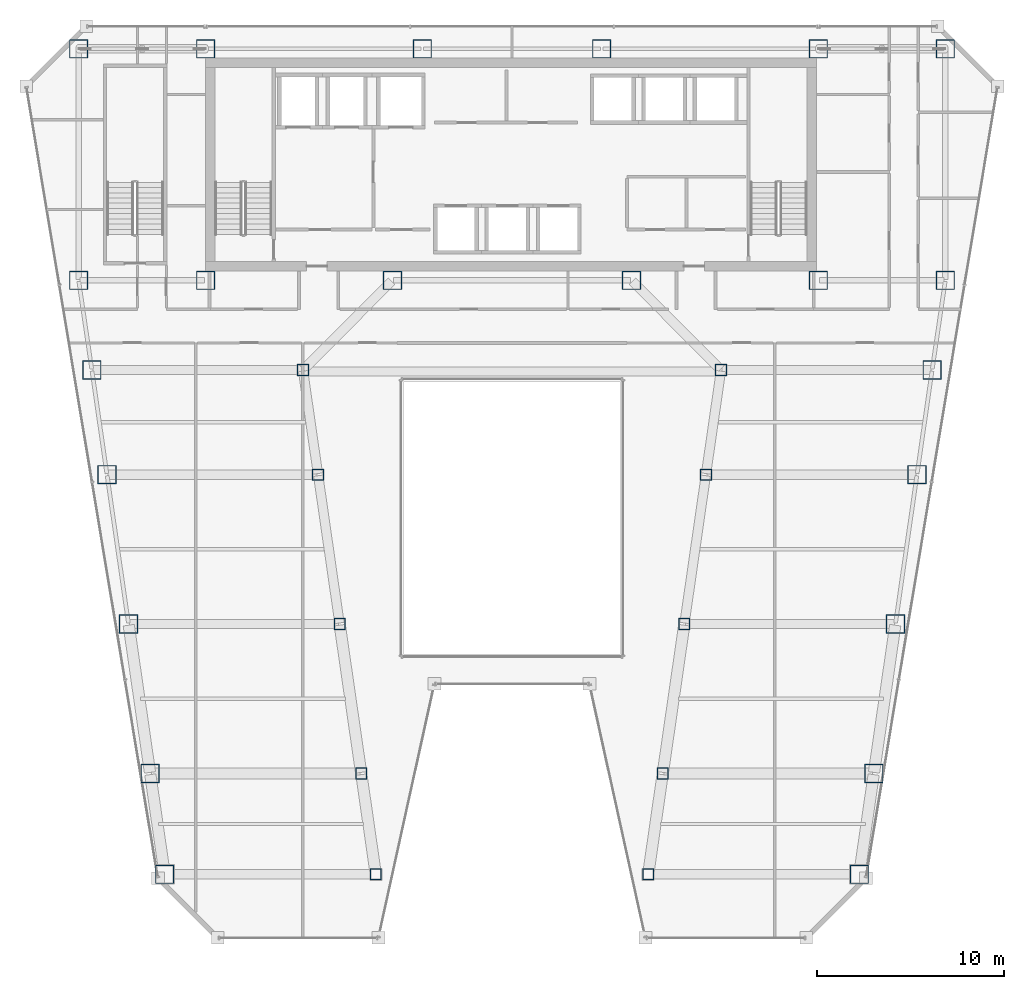
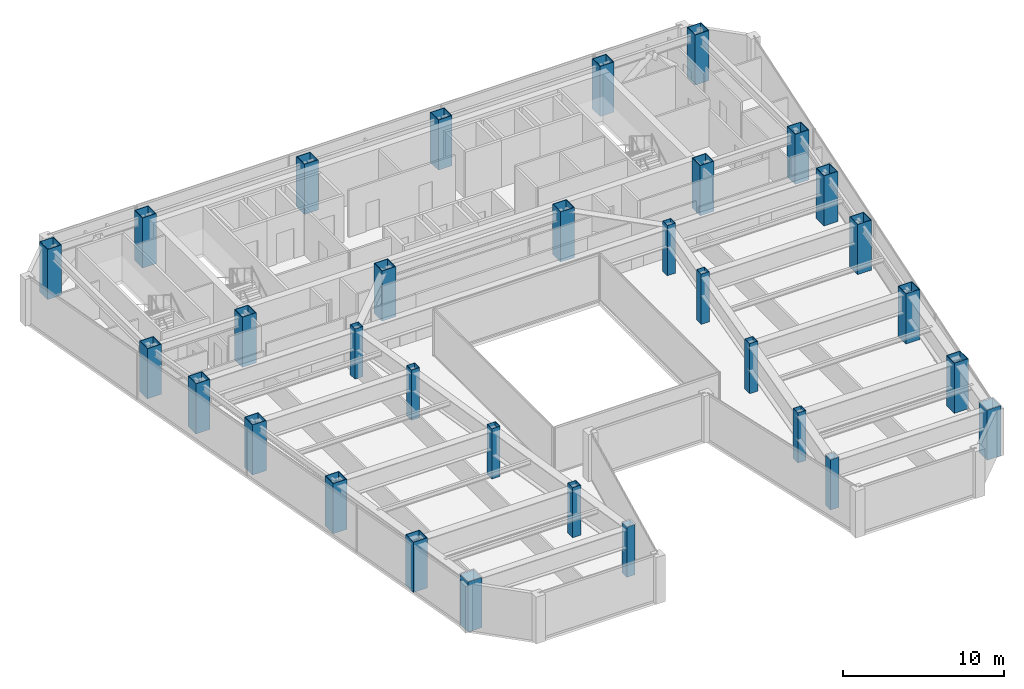
# One storey, part 1 of 37: 32 columns.
"""IFC4 building model written with IfcOpenShell, lengths in metres."""

from ifc_helpers import new_model, si_unit, direction, frame, origin, origin_2d, place, context, subcontext, project, spatial, hollow_rectangle, extrude, material, material_profile, profile_set, type_object, element, save


model = new_model("IFC4")

# Units and contexts
model_context = context("Model", 3, precision=1e-05, world=origin(), true_north=direction((0.0, 1.0)))
body_context = subcontext(model_context, "Body", "Model", "MODEL_VIEW")
ifc_project = project(units=[si_unit("LENGTHUNIT", "METRE"), si_unit("AREAUNIT", "SQUARE_METRE"), si_unit("VOLUMEUNIT", "CUBIC_METRE"), si_unit("PLANEANGLEUNIT", "RADIAN"), si_unit("MASSUNIT", "GRAM", prefix="KILO")], contexts=[model_context])

# Site, building, storey
site_placement = place(None, origin())
site = spatial("IfcSite", under=ifc_project, at=site_placement, CompositionType="ELEMENT")
building_placement = place(site_placement, origin())
building = spatial("IfcBuilding", under=site, at=building_placement, Name="Saevonmaru Cultural Tower", CompositionType="ELEMENT")
storey_placement = place(building_placement, frame((0.0, 0.0, 163.800048828125)))
storey = spatial("IfcBuildingStorey", under=building, at=storey_placement, Name="L36", CompositionType="ELEMENT", Elevation=163.800048828125)

# Columns
ifc_material_1 = material(Name="Steel SM420", Category="steel")
ifc_material_profile_1 = material_profile(ifc_material_1, hollow_rectangle(XDim=1.0, YDim=1.0, WallThickness=0.044921875, at=origin_2d()), Name="BOX-1000x1000x45")
ifc_profile_set_1 = profile_set([ifc_material_profile_1], Name="Steel SM420")
column_type_1 = type_object("IfcColumnType", Name="COL-BOX-1000", PredefinedType="COLUMN", material=ifc_profile_set_1)
for number, where, z_axis, x_axis, name in (
    (1, (6.800048828125, 54.800048828125, 0.0), (0.0, 0.0, 1.0), (1.0, 0.0, 0.0), "L36 Column TC-N1N"),
    (2, (13.60009765625, 54.800048828125, 0.0), (0.0, 0.0, 1.0), (1.0, 0.0, 0.0), "L36 Column TC-N2N"),
    (3, (25.199951171875, 54.800048828125, 0.0), (0.0, 0.0, 1.0), (1.0, 0.0, 0.0), "L36 Column TC-N3N"),
    (4, (34.800048828125, 54.800048828125, 0.0), (0.0, 0.0, 1.0), (1.0, 0.0, 0.0), "L36 Column TC-N4N"),
    (5, (46.39990234375, 54.800048828125, 0.0), (0.0, 0.0, 1.0), (1.0, 0.0, 0.0), "L36 Column TC-N5N"),
    (6, (53.199951171875, 54.800048828125, 0.0), (0.0, 0.0, 1.0), (1.0, 0.0, 0.0), "L36 Column TC-N6N"),
    (7, (6.800048828125, 42.39990234375, 0.0), (0.0, 0.0, 1.0), (1.0, 0.0, 0.0), "L36 Column TC-S1C"),
    (8, (13.60009765625, 42.39990234375, 0.0), (0.0, 0.0, 1.0), (1.0, 0.0, 0.0), "L36 Column TC-S2C"),
    (9, (23.60009765625, 42.39990234375, 0.0), (0.0, 0.0, 1.0), (1.0, 0.0, 0.0), "L36 Column TC-S3C"),
    (10, (36.39990234375, 42.39990234375, 0.0), (0.0, 0.0, 1.0), (1.0, 0.0, 0.0), "L36 Column TC-S4C"),
    (11, (46.39990234375, 42.39990234375, 0.0), (0.0, 0.0, 1.0), (1.0, 0.0, 0.0), "L36 Column TC-S5C"),
    (12, (53.199951171875, 42.39990234375, 0.0), (0.0, 0.0, 1.0), (1.0, 0.0, 0.0), "L36 Column TC-S6C"),
    (13, (11.407958984375, 10.60009765625, 0.0), (0.0, 0.0, 1.0), (1.0, 0.0, 0.0), "L36 Column TC-WO-Y106"),
    (14, (48.592041015625, 10.60009765625, 0.0), (0.0, 0.0, 1.0), (1.0, 0.0, 0.0), "L36 Column TC-EO-Y106"),
    (15, (10.6279296875, 16.0, 0.0), (0.0, 0.0, 1.0), (1.0, 0.0, 0.0), "L36 Column TC-WO-Y160"),
    (16, (49.3720703125, 16.0, 0.0), (0.0, 0.0, 1.0), (1.0, 0.0, 0.0), "L36 Column TC-EO-Y160"),
    (17, (9.471923828125, 24.0, 0.0), (0.0, 0.0, 1.0), (1.0, 0.0, 0.0), "L36 Column TC-WO-Y240"),
    (18, (50.528076171875, 24.0, 0.0), (0.0, 0.0, 1.0), (1.0, 0.0, 0.0), "L36 Column TC-EO-Y240"),
    (19, (8.31689453125, 32.0, 0.0), (0.0, 0.0, 1.0), (1.0, 0.0, 0.0), "L36 Column TC-WO-Y320"),
    (20, (51.68310546875, 32.0, 0.0), (0.0, 0.0, 1.0), (1.0, 0.0, 0.0), "L36 Column TC-EO-Y320"),
    (21, (7.508056640625, 37.60009765625, 0.0), (0.0, 0.0, 1.0), (1.0, 0.0, 0.0), "L36 Column TC-WO-Y376"),
    (22, (52.491943359375, 37.60009765625, 0.0), (0.0, 0.0, 1.0), (1.0, 0.0, 0.0), "L36 Column TC-EO-Y376"),
):
    element("IfcColumn", number, at=place(storey_placement, frame(where, z_axis=z_axis, x_axis=x_axis)), inside=storey, type_object=column_type_1, Name=name, PredefinedType="COLUMN", context=body_context, shape_type="SweptSolid", body=[
        extrude(hollow_rectangle(XDim=1.0, YDim=1.0, WallThickness=0.044921875, at=origin_2d()), origin(), (0.0, 0.0, 1.0), 3.800048828125),
    ])
ifc_material_2 = material(Name="Steel SM355", Category="steel")
ifc_material_profile_2 = material_profile(ifc_material_2, hollow_rectangle(XDim=0.60009765625, YDim=0.60009765625, WallThickness=0.028076171875, at=origin_2d()), Name="BOX-600x600x28")
ifc_profile_set_2 = profile_set([ifc_material_profile_2], Name="Steel SM355")
column_type_2 = type_object("IfcColumnType", Name="COL-BOX-600", PredefinedType="COLUMN", material=ifc_profile_set_2)
for number, where, z_axis, x_axis, name in (
    (23, (22.7080078125, 10.60009765625, 0.0), (0.0, 0.0, 1.0), (1.0, 0.0, 0.0), "L36 Column TC-WI-Y106"),
    (24, (37.2919921875, 10.60009765625, 0.0), (0.0, 0.0, 1.0), (1.0, 0.0, 0.0), "L36 Column TC-EI-Y106"),
    (25, (21.927978515625, 16.0, 0.0), (0.0, 0.0, 1.0), (1.0, 0.0, 0.0), "L36 Column TC-WI-Y160"),
    (26, (38.072021484375, 16.0, 0.0), (0.0, 0.0, 1.0), (1.0, 0.0, 0.0), "L36 Column TC-EI-Y160"),
    (27, (20.77197265625, 24.0, 0.0), (0.0, 0.0, 1.0), (1.0, 0.0, 0.0), "L36 Column TC-WI-Y240"),
    (28, (39.22802734375, 24.0, 0.0), (0.0, 0.0, 1.0), (1.0, 0.0, 0.0), "L36 Column TC-EI-Y240"),
    (29, (19.616943359375, 32.0, 0.0), (0.0, 0.0, 1.0), (1.0, 0.0, 0.0), "L36 Column TC-WI-Y320"),
    (30, (40.383056640625, 32.0, 0.0), (0.0, 0.0, 1.0), (1.0, 0.0, 0.0), "L36 Column TC-EI-Y320"),
    (31, (18.80810546875, 37.60009765625, 0.0), (0.0, 0.0, 1.0), (1.0, 0.0, 0.0), "L36 Column TC-WI-Y376"),
    (32, (41.19189453125, 37.60009765625, 0.0), (0.0, 0.0, 1.0), (1.0, 0.0, 0.0), "L36 Column TC-EI-Y376"),
):
    element("IfcColumn", number, at=place(storey_placement, frame(where, z_axis=z_axis, x_axis=x_axis)), inside=storey, type_object=column_type_2, Name=name, PredefinedType="COLUMN", context=body_context, shape_type="SweptSolid", body=[
        extrude(hollow_rectangle(XDim=0.60009765625, YDim=0.60009765625, WallThickness=0.028076171875, at=origin_2d()), origin(), (0.0, 0.0, 1.0), 3.800048828125),
    ])

save(model, "model.ifc")
